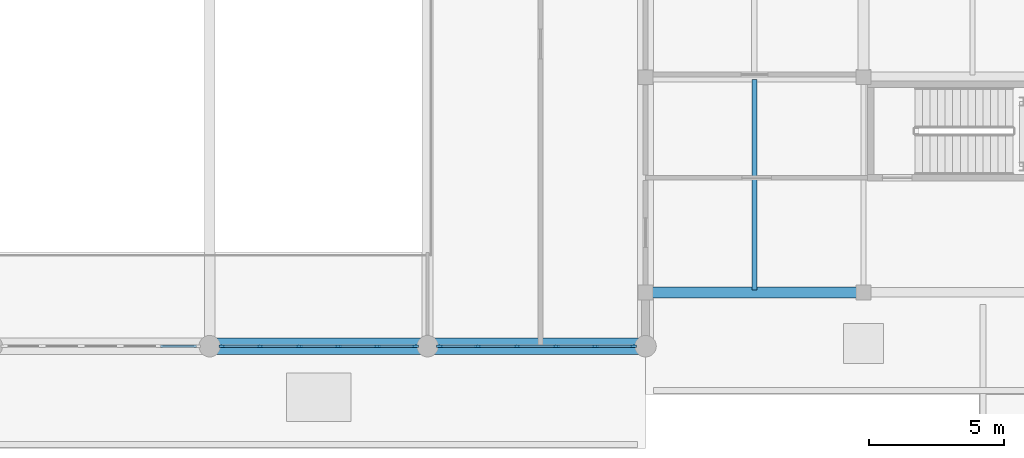
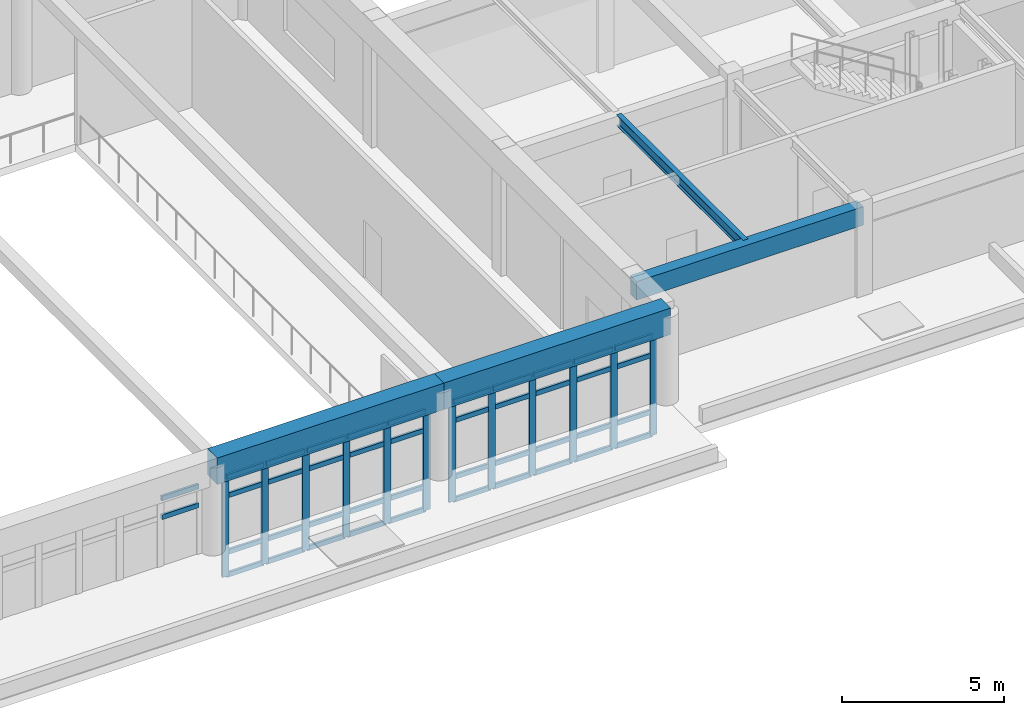
# One storey, part 8 of 61: 54 members, 4 beams, 3 elements without a shape of their own.
"""IFC4 building model written with IfcOpenShell, lengths in metres."""

from ifc_helpers import new_model, si_unit, direction, frame, origin, origin_2d, place, context, subcontext, project, spatial, rectangle, i_section, extrude, material, material_profile, profile_set, type_object, element, aggregate, save


model = new_model("IFC4")

# Units and contexts
model_context = context("Model", 3, precision=1e-05, world=origin(), true_north=direction((0.0, 1.0)))
body_context = subcontext(model_context, "Body", "Model", "MODEL_VIEW")
ifc_project = project(units=[si_unit("LENGTHUNIT", "METRE"), si_unit("AREAUNIT", "SQUARE_METRE"), si_unit("VOLUMEUNIT", "CUBIC_METRE"), si_unit("PLANEANGLEUNIT", "RADIAN"), si_unit("MASSUNIT", "GRAM", prefix="KILO")], contexts=[model_context])

# Site, building, storey
site_placement = place(None, origin())
site = spatial("IfcSite", under=ifc_project, at=site_placement, CompositionType="ELEMENT")
building_placement = place(site_placement, origin())
building = spatial("IfcBuilding", under=site, at=building_placement, Name="Tarnveldt Square Police Headquarters", CompositionType="ELEMENT")
storey_placement = place(building_placement, frame((0.0, 0.0, 5.39990234375)))
storey = spatial("IfcBuildingStorey", under=building, at=storey_placement, Name="L01", CompositionType="ELEMENT", Elevation=5.39990234375)

# Beams
ifc_material_1 = material(Name="Concrete 40 MPa", Category="concrete")
ifc_material_profile_1 = material_profile(ifc_material_1, rectangle(XDim=0.39990234375, YDim=0.699951171875, at=origin_2d()), Name="RC-B400x700")
ifc_profile_set_1 = profile_set([ifc_material_profile_1], Name="Concrete 40 MPa")
beam_type_1 = type_object("IfcBeamType", Name="BM-RC400x700", PredefinedType="BEAM", material=ifc_profile_set_1)
beam_1_placement = place(storey_placement, frame((121.5, 24.0, 4.170166015625), z_axis=(1.0, 0.0, 0.0), x_axis=(0.0, 1.0, 0.0)))
element("IfcBeam", 1, at=beam_1_placement, inside=storey, type_object=beam_type_1, Name="L02 Grid Girder X-0477", PredefinedType="BEAM", context=body_context, shape_type="SweptSolid", body=[
    extrude(rectangle(XDim=0.39990234375, YDim=0.699951171875, at=origin_2d()), origin(), (0.0, 0.0, 1.0), 8.10009765625),
])
ifc_material_2 = material(Name="Concrete 50 MPa", Category="concrete")
ifc_material_profile_2 = material_profile(ifc_material_2, rectangle(XDim=0.60009765625, YDim=1.0, at=origin_2d()), Name="RC-B600x1000")
ifc_profile_set_2 = profile_set([ifc_material_profile_2], Name="Concrete 50 MPa")
beam_type_2 = type_object("IfcBeamType", Name="BM-RC600x1000", PredefinedType="BEAM", material=ifc_profile_set_2)
beam_2_placement = place(storey_placement, frame((105.300048828125, 22.0, 4.300048828125), z_axis=(1.0, 0.0, 0.0), x_axis=(0.0, 1.0, 0.0)))
element("IfcBeam", 2, at=beam_2_placement, inside=storey, type_object=beam_type_2, Name="Public Entrance Hall Springing Edge Ring Beam S6", PredefinedType="BEAM", context=body_context, shape_type="SweptSolid", body=[
    extrude(rectangle(XDim=0.60009765625, YDim=1.0, at=origin_2d()), origin(), (0.0, 0.0, 1.0), 8.099853515625),
])
beam_3_placement = place(storey_placement, frame((113.39990234375, 22.0, 4.300048828125), z_axis=(1.0, 0.0, 0.0), x_axis=(0.0, 1.0, 0.0)))
element("IfcBeam", 3, at=beam_3_placement, inside=storey, type_object=beam_type_2, Name="Public Entrance Hall Springing Edge Ring Beam S7", PredefinedType="BEAM", context=body_context, shape_type="SweptSolid", body=[
    extrude(rectangle(XDim=0.60009765625, YDim=1.0, at=origin_2d()), origin(), (0.0, 0.0, 1.0), 8.10009765625),
])
ifc_material_3 = material(Name="Steel 350W", Category="steel")
ifc_material_profile_3 = material_profile(ifc_material_3, i_section(OverallWidth=0.177978515625, OverallDepth=0.406982421875, WebThickness=0.0078125, FlangeThickness=0.0126953125, FilletRadius=0.01611328125, at=origin_2d()), Name="W410x60")
ifc_profile_set_3 = profile_set([ifc_material_profile_3], Name="Steel 350W")
beam_type_3 = type_object("IfcBeamType", Name="BM-W410x60", PredefinedType="JOIST", material=ifc_profile_set_3)
beam_4_placement = place(storey_placement, frame((125.550048828125, 24.080078125, 4.316650390625), z_axis=(0.0, 1.0, 0.0), x_axis=(-1.0, 0.0, 0.0)))
element("IfcBeam", 4, at=beam_4_placement, inside=storey, type_object=beam_type_3, Name="L02 Secondary Floor Joist 0105", PredefinedType="JOIST", context=body_context, shape_type="SweptSolid", body=[
    extrude(i_section(OverallWidth=0.177978515625, OverallDepth=0.406982421875, WebThickness=0.0078125, FlangeThickness=0.0126953125, FilletRadius=0.01611328125, at=origin_2d()), origin(), (0.0, 0.0, 1.0), 7.83984375),
])

# Curtain wall, members
ifc_material_4 = material(Name="Triple-glazed low-e laminated vision glass", Category="glass")
curtain_wall_type = type_object("IfcCurtainWallType", Name="CW-EH-727x379", PredefinedType="USERDEFINED", material=ifc_material_4)
curtain_wall_1_placement = place(storey_placement, origin())
curtain_wall_1 = element("IfcCurtainWall", 5, at=curtain_wall_1_placement, inside=storey, type_object=curtain_wall_type, Name="L01 Curtain Wall CW-L01-012", ObjectType="GLAZED CURTAIN WALL", PredefinedType="USERDEFINED")
ifc_material_5 = material(Name="Thermally broken anodised aluminium 6063-T6", Category="aluminium")
ifc_material_profile_4 = material_profile(ifc_material_5, rectangle(XDim=0.0849609375, YDim=0.239990234375, at=origin_2d()), Name="CW-M85x240")
ifc_profile_set_4 = profile_set([ifc_material_profile_4], Name="Thermally broken anodised aluminium 6063-T6")
member_type_1 = type_object("IfcMemberType", Name="CWM-85x240", PredefinedType="MULLION", material=ifc_profile_set_4)
member_1_placement = place(storey_placement, frame((105.757568359375, 22.0, 0.0), z_axis=(0.0, 0.0, 1.0), x_axis=(0.0, 1.0, 0.0)))
member_1 = element("IfcMember", 6, at=member_1_placement, type_object=member_type_1, Name="CW-EH05 mullion 1", PredefinedType="MULLION", context=body_context, shape_type="SweptSolid", body=[
    extrude(rectangle(XDim=0.0849609375, YDim=0.239990234375, at=origin_2d()), origin(), (0.0, 0.0, 1.0), 3.7919921875),
])
member_2_placement = place(storey_placement, frame((107.1689453125, 22.0, 0.0), z_axis=(0.0, 0.0, 1.0), x_axis=(0.0, 1.0, 0.0)))
member_2 = element("IfcMember", 7, at=member_2_placement, type_object=member_type_1, Name="CW-EH05 mullion 2", PredefinedType="MULLION", context=body_context, shape_type="SweptSolid", body=[
    extrude(rectangle(XDim=0.0849609375, YDim=0.239990234375, at=origin_2d()), origin(), (0.0, 0.0, 1.0), 3.7919921875),
])
member_3_placement = place(storey_placement, frame((108.623046875, 22.0, 0.0), z_axis=(0.0, 0.0, 1.0), x_axis=(0.0, 1.0, 0.0)))
member_3 = element("IfcMember", 8, at=member_3_placement, type_object=member_type_1, Name="CW-EH05 mullion 3", PredefinedType="MULLION", context=body_context, shape_type="SweptSolid", body=[
    extrude(rectangle(XDim=0.0849609375, YDim=0.239990234375, at=origin_2d()), origin(), (0.0, 0.0, 1.0), 3.7919921875),
])
member_4_placement = place(storey_placement, frame((110.076904296875, 22.0, 0.0), z_axis=(0.0, 0.0, 1.0), x_axis=(0.0, 1.0, 0.0)))
member_4 = element("IfcMember", 9, at=member_4_placement, type_object=member_type_1, Name="CW-EH05 mullion 4", PredefinedType="MULLION", context=body_context, shape_type="SweptSolid", body=[
    extrude(rectangle(XDim=0.0849609375, YDim=0.239990234375, at=origin_2d()), origin(), (0.0, 0.0, 1.0), 3.7919921875),
])
member_5_placement = place(storey_placement, frame((111.531005859375, 22.0, 0.0), z_axis=(0.0, 0.0, 1.0), x_axis=(0.0, 1.0, 0.0)))
member_5 = element("IfcMember", 10, at=member_5_placement, type_object=member_type_1, Name="CW-EH05 mullion 5", PredefinedType="MULLION", context=body_context, shape_type="SweptSolid", body=[
    extrude(rectangle(XDim=0.0849609375, YDim=0.239990234375, at=origin_2d()), origin(), (0.0, 0.0, 1.0), 3.7919921875),
])
member_6_placement = place(storey_placement, frame((112.9423828125, 22.0, 0.0), z_axis=(0.0, 0.0, 1.0), x_axis=(0.0, 1.0, 0.0)))
member_6 = element("IfcMember", 11, at=member_6_placement, type_object=member_type_1, Name="CW-EH05 mullion 6", PredefinedType="MULLION", context=body_context, shape_type="SweptSolid", body=[
    extrude(rectangle(XDim=0.0849609375, YDim=0.239990234375, at=origin_2d()), origin(), (0.0, 0.0, 1.0), 3.7919921875),
])

curtain_wall_2_placement = place(storey_placement, origin())
curtain_wall_2 = element("IfcCurtainWall", 12, at=curtain_wall_2_placement, inside=storey, type_object=curtain_wall_type, Name="L01 Curtain Wall CW-L01-013", ObjectType="GLAZED CURTAIN WALL", PredefinedType="USERDEFINED")
member_7_placement = place(storey_placement, frame((113.857421875, 22.0, 0.0), z_axis=(0.0, 0.0, 1.0), x_axis=(0.0, 1.0, 0.0)))
member_7 = element("IfcMember", 13, at=member_7_placement, type_object=member_type_1, Name="CW-EH05 mullion 1", PredefinedType="MULLION", context=body_context, shape_type="SweptSolid", body=[
    extrude(rectangle(XDim=0.0849609375, YDim=0.239990234375, at=origin_2d()), origin(), (0.0, 0.0, 1.0), 3.7919921875),
])
member_8_placement = place(storey_placement, frame((115.26904296875, 22.0, 0.0), z_axis=(0.0, 0.0, 1.0), x_axis=(0.0, 1.0, 0.0)))
member_8 = element("IfcMember", 14, at=member_8_placement, type_object=member_type_1, Name="CW-EH05 mullion 2", PredefinedType="MULLION", context=body_context, shape_type="SweptSolid", body=[
    extrude(rectangle(XDim=0.0849609375, YDim=0.239990234375, at=origin_2d()), origin(), (0.0, 0.0, 1.0), 3.7919921875),
])
member_9_placement = place(storey_placement, frame((116.722900390625, 22.0, 0.0), z_axis=(0.0, 0.0, 1.0), x_axis=(0.0, 1.0, 0.0)))
member_9 = element("IfcMember", 15, at=member_9_placement, type_object=member_type_1, Name="CW-EH05 mullion 3", PredefinedType="MULLION", context=body_context, shape_type="SweptSolid", body=[
    extrude(rectangle(XDim=0.0849609375, YDim=0.239990234375, at=origin_2d()), origin(), (0.0, 0.0, 1.0), 3.7919921875),
])
member_10_placement = place(storey_placement, frame((118.177001953125, 22.0, 0.0), z_axis=(0.0, 0.0, 1.0), x_axis=(0.0, 1.0, 0.0)))
member_10 = element("IfcMember", 16, at=member_10_placement, type_object=member_type_1, Name="CW-EH05 mullion 4", PredefinedType="MULLION", context=body_context, shape_type="SweptSolid", body=[
    extrude(rectangle(XDim=0.0849609375, YDim=0.239990234375, at=origin_2d()), origin(), (0.0, 0.0, 1.0), 3.7919921875),
])
member_11_placement = place(storey_placement, frame((119.631103515625, 22.0, 0.0), z_axis=(0.0, 0.0, 1.0), x_axis=(0.0, 1.0, 0.0)))
member_11 = element("IfcMember", 17, at=member_11_placement, type_object=member_type_1, Name="CW-EH05 mullion 5", PredefinedType="MULLION", context=body_context, shape_type="SweptSolid", body=[
    extrude(rectangle(XDim=0.0849609375, YDim=0.239990234375, at=origin_2d()), origin(), (0.0, 0.0, 1.0), 3.7919921875),
])
member_12_placement = place(storey_placement, frame((121.04248046875, 22.0, 0.0), z_axis=(0.0, 0.0, 1.0), x_axis=(0.0, 1.0, 0.0)))
member_12 = element("IfcMember", 18, at=member_12_placement, type_object=member_type_1, Name="CW-EH05 mullion 6", PredefinedType="MULLION", context=body_context, shape_type="SweptSolid", body=[
    extrude(rectangle(XDim=0.0849609375, YDim=0.239990234375, at=origin_2d()), origin(), (0.0, 0.0, 1.0), 3.7919921875),
])

curtain_wall_3_placement = place(storey_placement, origin())
curtain_wall_3 = element("IfcCurtainWall", 19, at=curtain_wall_3_placement, inside=storey, type_object=curtain_wall_type, Name="L01 Curtain Wall CW-L01-011", ObjectType="GLAZED CURTAIN WALL", PredefinedType="USERDEFINED")
ifc_material_profile_5 = material_profile(ifc_material_5, rectangle(XDim=0.0849609375, YDim=0.179931640625, at=origin_2d()), Name="CW-T85x180")
ifc_profile_set_5 = profile_set([ifc_material_profile_5], Name="Thermally broken anodised aluminium 6063-T6")
member_type_2 = type_object("IfcMemberType", Name="CWT-85x180", PredefinedType="USERDEFINED", material=ifc_profile_set_5)
member_13_placement = place(storey_placement, frame((103.473388671875, 22.0, 3.0419921875), z_axis=(1.0, 0.0, 0.0), x_axis=(0.0, 1.0, 0.0)))
member_13 = element("IfcMember", 20, at=member_13_placement, type_object=member_type_2, Name="CW-EH05 transom 5.3", ObjectType="TRANSOM", PredefinedType="USERDEFINED", context=body_context, shape_type="SweptSolid", body=[
    extrude(rectangle(XDim=0.0849609375, YDim=0.179931640625, at=origin_2d()), origin(), (0.0, 0.0, 1.0), 1.32666015625),
])
member_14_placement = place(storey_placement, frame((103.473388671875, 22.0, 3.74951171875), z_axis=(1.0, 0.0, 0.0), x_axis=(0.0, 1.0, 0.0)))
member_14 = element("IfcMember", 21, at=member_14_placement, type_object=member_type_2, Name="CW-EH05 transom 5.4", ObjectType="TRANSOM", PredefinedType="USERDEFINED", context=body_context, shape_type="SweptSolid", body=[
    extrude(rectangle(XDim=0.0849609375, YDim=0.179931640625, at=origin_2d()), origin(), (0.0, 0.0, 1.0), 1.32666015625),
])
aggregate(curtain_wall_3, [member_13, member_14])

# Member
member_15_placement = place(storey_placement, frame((105.800048828125, 22.0, 0.04248046875), z_axis=(1.0, 0.0, 0.0), x_axis=(0.0, 1.0, 0.0)))
member_15 = element("IfcMember", 22, at=member_15_placement, type_object=member_type_2, Name="CW-EH05 transom 1.1", ObjectType="TRANSOM", PredefinedType="USERDEFINED", context=body_context, shape_type="SweptSolid", body=[
    extrude(rectangle(XDim=0.0849609375, YDim=0.179931640625, at=origin_2d()), origin(), (0.0, 0.0, 1.0), 1.326416015625),
])

member_16_placement = place(storey_placement, frame((105.800048828125, 22.0, 0.900146484375), z_axis=(1.0, 0.0, 0.0), x_axis=(0.0, 1.0, 0.0)))
member_16 = element("IfcMember", 23, at=member_16_placement, type_object=member_type_2, Name="CW-EH05 transom 1.2", ObjectType="TRANSOM", PredefinedType="USERDEFINED", context=body_context, shape_type="SweptSolid", body=[
    extrude(rectangle(XDim=0.0849609375, YDim=0.179931640625, at=origin_2d()), origin(), (0.0, 0.0, 1.0), 1.326416015625),
])

member_17_placement = place(storey_placement, frame((105.800048828125, 22.0, 3.0419921875), z_axis=(1.0, 0.0, 0.0), x_axis=(0.0, 1.0, 0.0)))
member_17 = element("IfcMember", 24, at=member_17_placement, type_object=member_type_2, Name="CW-EH05 transom 1.3", ObjectType="TRANSOM", PredefinedType="USERDEFINED", context=body_context, shape_type="SweptSolid", body=[
    extrude(rectangle(XDim=0.0849609375, YDim=0.179931640625, at=origin_2d()), origin(), (0.0, 0.0, 1.0), 1.326416015625),
])

member_18_placement = place(storey_placement, frame((105.800048828125, 22.0, 3.74951171875), z_axis=(1.0, 0.0, 0.0), x_axis=(0.0, 1.0, 0.0)))
member_18 = element("IfcMember", 25, at=member_18_placement, type_object=member_type_2, Name="CW-EH05 transom 1.4", ObjectType="TRANSOM", PredefinedType="USERDEFINED", context=body_context, shape_type="SweptSolid", body=[
    extrude(rectangle(XDim=0.0849609375, YDim=0.179931640625, at=origin_2d()), origin(), (0.0, 0.0, 1.0), 1.326416015625),
])

member_19_placement = place(storey_placement, frame((107.21142578125, 22.0, 0.04248046875), z_axis=(1.0, 0.0, 0.0), x_axis=(0.0, 1.0, 0.0)))
member_19 = element("IfcMember", 26, at=member_19_placement, type_object=member_type_2, Name="CW-EH05 transom 2.1", ObjectType="TRANSOM", PredefinedType="USERDEFINED", context=body_context, shape_type="SweptSolid", body=[
    extrude(rectangle(XDim=0.0849609375, YDim=0.179931640625, at=origin_2d()), origin(), (0.0, 0.0, 1.0), 1.369140625),
])

member_20_placement = place(storey_placement, frame((107.21142578125, 22.0, 0.900146484375), z_axis=(1.0, 0.0, 0.0), x_axis=(0.0, 1.0, 0.0)))
member_20 = element("IfcMember", 27, at=member_20_placement, type_object=member_type_2, Name="CW-EH05 transom 2.2", ObjectType="TRANSOM", PredefinedType="USERDEFINED", context=body_context, shape_type="SweptSolid", body=[
    extrude(rectangle(XDim=0.0849609375, YDim=0.179931640625, at=origin_2d()), origin(), (0.0, 0.0, 1.0), 1.369140625),
])

member_21_placement = place(storey_placement, frame((107.21142578125, 22.0, 3.0419921875), z_axis=(1.0, 0.0, 0.0), x_axis=(0.0, 1.0, 0.0)))
member_21 = element("IfcMember", 28, at=member_21_placement, type_object=member_type_2, Name="CW-EH05 transom 2.3", ObjectType="TRANSOM", PredefinedType="USERDEFINED", context=body_context, shape_type="SweptSolid", body=[
    extrude(rectangle(XDim=0.0849609375, YDim=0.179931640625, at=origin_2d()), origin(), (0.0, 0.0, 1.0), 1.369140625),
])

member_22_placement = place(storey_placement, frame((107.21142578125, 22.0, 3.74951171875), z_axis=(1.0, 0.0, 0.0), x_axis=(0.0, 1.0, 0.0)))
member_22 = element("IfcMember", 29, at=member_22_placement, type_object=member_type_2, Name="CW-EH05 transom 2.4", ObjectType="TRANSOM", PredefinedType="USERDEFINED", context=body_context, shape_type="SweptSolid", body=[
    extrude(rectangle(XDim=0.0849609375, YDim=0.179931640625, at=origin_2d()), origin(), (0.0, 0.0, 1.0), 1.369140625),
])

member_23_placement = place(storey_placement, frame((108.66552734375, 22.0, 0.04248046875), z_axis=(1.0, 0.0, 0.0), x_axis=(0.0, 1.0, 0.0)))
member_23 = element("IfcMember", 30, at=member_23_placement, type_object=member_type_2, Name="CW-EH05 transom 3.1", ObjectType="TRANSOM", PredefinedType="USERDEFINED", context=body_context, shape_type="SweptSolid", body=[
    extrude(rectangle(XDim=0.0849609375, YDim=0.179931640625, at=origin_2d()), origin(), (0.0, 0.0, 1.0), 1.368896484375),
])

member_24_placement = place(storey_placement, frame((108.66552734375, 22.0, 0.900146484375), z_axis=(1.0, 0.0, 0.0), x_axis=(0.0, 1.0, 0.0)))
member_24 = element("IfcMember", 31, at=member_24_placement, type_object=member_type_2, Name="CW-EH05 transom 3.2", ObjectType="TRANSOM", PredefinedType="USERDEFINED", context=body_context, shape_type="SweptSolid", body=[
    extrude(rectangle(XDim=0.0849609375, YDim=0.179931640625, at=origin_2d()), origin(), (0.0, 0.0, 1.0), 1.368896484375),
])

member_25_placement = place(storey_placement, frame((108.66552734375, 22.0, 3.0419921875), z_axis=(1.0, 0.0, 0.0), x_axis=(0.0, 1.0, 0.0)))
member_25 = element("IfcMember", 32, at=member_25_placement, type_object=member_type_2, Name="CW-EH05 transom 3.3", ObjectType="TRANSOM", PredefinedType="USERDEFINED", context=body_context, shape_type="SweptSolid", body=[
    extrude(rectangle(XDim=0.0849609375, YDim=0.179931640625, at=origin_2d()), origin(), (0.0, 0.0, 1.0), 1.368896484375),
])

member_26_placement = place(storey_placement, frame((108.66552734375, 22.0, 3.74951171875), z_axis=(1.0, 0.0, 0.0), x_axis=(0.0, 1.0, 0.0)))
member_26 = element("IfcMember", 33, at=member_26_placement, type_object=member_type_2, Name="CW-EH05 transom 3.4", ObjectType="TRANSOM", PredefinedType="USERDEFINED", context=body_context, shape_type="SweptSolid", body=[
    extrude(rectangle(XDim=0.0849609375, YDim=0.179931640625, at=origin_2d()), origin(), (0.0, 0.0, 1.0), 1.368896484375),
])

member_27_placement = place(storey_placement, frame((110.119384765625, 22.0, 0.04248046875), z_axis=(1.0, 0.0, 0.0), x_axis=(0.0, 1.0, 0.0)))
member_27 = element("IfcMember", 34, at=member_27_placement, type_object=member_type_2, Name="CW-EH05 transom 4.1", ObjectType="TRANSOM", PredefinedType="USERDEFINED", context=body_context, shape_type="SweptSolid", body=[
    extrude(rectangle(XDim=0.0849609375, YDim=0.179931640625, at=origin_2d()), origin(), (0.0, 0.0, 1.0), 1.369140625),
])

member_28_placement = place(storey_placement, frame((110.119384765625, 22.0, 0.900146484375), z_axis=(1.0, 0.0, 0.0), x_axis=(0.0, 1.0, 0.0)))
member_28 = element("IfcMember", 35, at=member_28_placement, type_object=member_type_2, Name="CW-EH05 transom 4.2", ObjectType="TRANSOM", PredefinedType="USERDEFINED", context=body_context, shape_type="SweptSolid", body=[
    extrude(rectangle(XDim=0.0849609375, YDim=0.179931640625, at=origin_2d()), origin(), (0.0, 0.0, 1.0), 1.369140625),
])

member_29_placement = place(storey_placement, frame((110.119384765625, 22.0, 3.0419921875), z_axis=(1.0, 0.0, 0.0), x_axis=(0.0, 1.0, 0.0)))
member_29 = element("IfcMember", 36, at=member_29_placement, type_object=member_type_2, Name="CW-EH05 transom 4.3", ObjectType="TRANSOM", PredefinedType="USERDEFINED", context=body_context, shape_type="SweptSolid", body=[
    extrude(rectangle(XDim=0.0849609375, YDim=0.179931640625, at=origin_2d()), origin(), (0.0, 0.0, 1.0), 1.369140625),
])

member_30_placement = place(storey_placement, frame((110.119384765625, 22.0, 3.74951171875), z_axis=(1.0, 0.0, 0.0), x_axis=(0.0, 1.0, 0.0)))
member_30 = element("IfcMember", 37, at=member_30_placement, type_object=member_type_2, Name="CW-EH05 transom 4.4", ObjectType="TRANSOM", PredefinedType="USERDEFINED", context=body_context, shape_type="SweptSolid", body=[
    extrude(rectangle(XDim=0.0849609375, YDim=0.179931640625, at=origin_2d()), origin(), (0.0, 0.0, 1.0), 1.369140625),
])

member_31_placement = place(storey_placement, frame((111.573486328125, 22.0, 0.04248046875), z_axis=(1.0, 0.0, 0.0), x_axis=(0.0, 1.0, 0.0)))
member_31 = element("IfcMember", 38, at=member_31_placement, type_object=member_type_2, Name="CW-EH05 transom 5.1", ObjectType="TRANSOM", PredefinedType="USERDEFINED", context=body_context, shape_type="SweptSolid", body=[
    extrude(rectangle(XDim=0.0849609375, YDim=0.179931640625, at=origin_2d()), origin(), (0.0, 0.0, 1.0), 1.326416015625),
])

member_32_placement = place(storey_placement, frame((111.573486328125, 22.0, 0.900146484375), z_axis=(1.0, 0.0, 0.0), x_axis=(0.0, 1.0, 0.0)))
member_32 = element("IfcMember", 39, at=member_32_placement, type_object=member_type_2, Name="CW-EH05 transom 5.2", ObjectType="TRANSOM", PredefinedType="USERDEFINED", context=body_context, shape_type="SweptSolid", body=[
    extrude(rectangle(XDim=0.0849609375, YDim=0.179931640625, at=origin_2d()), origin(), (0.0, 0.0, 1.0), 1.326416015625),
])

member_33_placement = place(storey_placement, frame((111.573486328125, 22.0, 3.0419921875), z_axis=(1.0, 0.0, 0.0), x_axis=(0.0, 1.0, 0.0)))
member_33 = element("IfcMember", 40, at=member_33_placement, type_object=member_type_2, Name="CW-EH05 transom 5.3", ObjectType="TRANSOM", PredefinedType="USERDEFINED", context=body_context, shape_type="SweptSolid", body=[
    extrude(rectangle(XDim=0.0849609375, YDim=0.179931640625, at=origin_2d()), origin(), (0.0, 0.0, 1.0), 1.326416015625),
])

member_34_placement = place(storey_placement, frame((111.573486328125, 22.0, 3.74951171875), z_axis=(1.0, 0.0, 0.0), x_axis=(0.0, 1.0, 0.0)))
member_34 = element("IfcMember", 41, at=member_34_placement, type_object=member_type_2, Name="CW-EH05 transom 5.4", ObjectType="TRANSOM", PredefinedType="USERDEFINED", context=body_context, shape_type="SweptSolid", body=[
    extrude(rectangle(XDim=0.0849609375, YDim=0.179931640625, at=origin_2d()), origin(), (0.0, 0.0, 1.0), 1.326416015625),
])

aggregate(curtain_wall_1, [member_1, member_2, member_3, member_4, member_5, member_6, member_15, member_16, member_17, member_18, member_19, member_20, member_21, member_22, member_23, member_24, member_25, member_26, member_27, member_28, member_29, member_30, member_31, member_32, member_33, member_34])

member_35_placement = place(storey_placement, frame((113.89990234375, 22.0, 0.04248046875), z_axis=(1.0, 0.0, 0.0), x_axis=(0.0, 1.0, 0.0)))
member_35 = element("IfcMember", 42, at=member_35_placement, type_object=member_type_2, Name="CW-EH05 transom 1.1", ObjectType="TRANSOM", PredefinedType="USERDEFINED", context=body_context, shape_type="SweptSolid", body=[
    extrude(rectangle(XDim=0.0849609375, YDim=0.179931640625, at=origin_2d()), origin(), (0.0, 0.0, 1.0), 1.32666015625),
])

member_36_placement = place(storey_placement, frame((113.89990234375, 22.0, 0.900146484375), z_axis=(1.0, 0.0, 0.0), x_axis=(0.0, 1.0, 0.0)))
member_36 = element("IfcMember", 43, at=member_36_placement, type_object=member_type_2, Name="CW-EH05 transom 1.2", ObjectType="TRANSOM", PredefinedType="USERDEFINED", context=body_context, shape_type="SweptSolid", body=[
    extrude(rectangle(XDim=0.0849609375, YDim=0.179931640625, at=origin_2d()), origin(), (0.0, 0.0, 1.0), 1.32666015625),
])

member_37_placement = place(storey_placement, frame((113.89990234375, 22.0, 3.0419921875), z_axis=(1.0, 0.0, 0.0), x_axis=(0.0, 1.0, 0.0)))
member_37 = element("IfcMember", 44, at=member_37_placement, type_object=member_type_2, Name="CW-EH05 transom 1.3", ObjectType="TRANSOM", PredefinedType="USERDEFINED", context=body_context, shape_type="SweptSolid", body=[
    extrude(rectangle(XDim=0.0849609375, YDim=0.179931640625, at=origin_2d()), origin(), (0.0, 0.0, 1.0), 1.32666015625),
])

member_38_placement = place(storey_placement, frame((113.89990234375, 22.0, 3.74951171875), z_axis=(1.0, 0.0, 0.0), x_axis=(0.0, 1.0, 0.0)))
member_38 = element("IfcMember", 45, at=member_38_placement, type_object=member_type_2, Name="CW-EH05 transom 1.4", ObjectType="TRANSOM", PredefinedType="USERDEFINED", context=body_context, shape_type="SweptSolid", body=[
    extrude(rectangle(XDim=0.0849609375, YDim=0.179931640625, at=origin_2d()), origin(), (0.0, 0.0, 1.0), 1.32666015625),
])

member_39_placement = place(storey_placement, frame((115.3115234375, 22.0, 0.04248046875), z_axis=(1.0, 0.0, 0.0), x_axis=(0.0, 1.0, 0.0)))
member_39 = element("IfcMember", 46, at=member_39_placement, type_object=member_type_2, Name="CW-EH05 transom 2.1", ObjectType="TRANSOM", PredefinedType="USERDEFINED", context=body_context, shape_type="SweptSolid", body=[
    extrude(rectangle(XDim=0.0849609375, YDim=0.179931640625, at=origin_2d()), origin(), (0.0, 0.0, 1.0), 1.368896484375),
])

member_40_placement = place(storey_placement, frame((115.3115234375, 22.0, 0.900146484375), z_axis=(1.0, 0.0, 0.0), x_axis=(0.0, 1.0, 0.0)))
member_40 = element("IfcMember", 47, at=member_40_placement, type_object=member_type_2, Name="CW-EH05 transom 2.2", ObjectType="TRANSOM", PredefinedType="USERDEFINED", context=body_context, shape_type="SweptSolid", body=[
    extrude(rectangle(XDim=0.0849609375, YDim=0.179931640625, at=origin_2d()), origin(), (0.0, 0.0, 1.0), 1.368896484375),
])

member_41_placement = place(storey_placement, frame((115.3115234375, 22.0, 3.0419921875), z_axis=(1.0, 0.0, 0.0), x_axis=(0.0, 1.0, 0.0)))
member_41 = element("IfcMember", 48, at=member_41_placement, type_object=member_type_2, Name="CW-EH05 transom 2.3", ObjectType="TRANSOM", PredefinedType="USERDEFINED", context=body_context, shape_type="SweptSolid", body=[
    extrude(rectangle(XDim=0.0849609375, YDim=0.179931640625, at=origin_2d()), origin(), (0.0, 0.0, 1.0), 1.368896484375),
])

member_42_placement = place(storey_placement, frame((115.3115234375, 22.0, 3.74951171875), z_axis=(1.0, 0.0, 0.0), x_axis=(0.0, 1.0, 0.0)))
member_42 = element("IfcMember", 49, at=member_42_placement, type_object=member_type_2, Name="CW-EH05 transom 2.4", ObjectType="TRANSOM", PredefinedType="USERDEFINED", context=body_context, shape_type="SweptSolid", body=[
    extrude(rectangle(XDim=0.0849609375, YDim=0.179931640625, at=origin_2d()), origin(), (0.0, 0.0, 1.0), 1.368896484375),
])

member_43_placement = place(storey_placement, frame((116.765380859375, 22.0, 0.04248046875), z_axis=(1.0, 0.0, 0.0), x_axis=(0.0, 1.0, 0.0)))
member_43 = element("IfcMember", 50, at=member_43_placement, type_object=member_type_2, Name="CW-EH05 transom 3.1", ObjectType="TRANSOM", PredefinedType="USERDEFINED", context=body_context, shape_type="SweptSolid", body=[
    extrude(rectangle(XDim=0.0849609375, YDim=0.179931640625, at=origin_2d()), origin(), (0.0, 0.0, 1.0), 1.369140625),
])

member_44_placement = place(storey_placement, frame((116.765380859375, 22.0, 0.900146484375), z_axis=(1.0, 0.0, 0.0), x_axis=(0.0, 1.0, 0.0)))
member_44 = element("IfcMember", 51, at=member_44_placement, type_object=member_type_2, Name="CW-EH05 transom 3.2", ObjectType="TRANSOM", PredefinedType="USERDEFINED", context=body_context, shape_type="SweptSolid", body=[
    extrude(rectangle(XDim=0.0849609375, YDim=0.179931640625, at=origin_2d()), origin(), (0.0, 0.0, 1.0), 1.369140625),
])

member_45_placement = place(storey_placement, frame((116.765380859375, 22.0, 3.0419921875), z_axis=(1.0, 0.0, 0.0), x_axis=(0.0, 1.0, 0.0)))
member_45 = element("IfcMember", 52, at=member_45_placement, type_object=member_type_2, Name="CW-EH05 transom 3.3", ObjectType="TRANSOM", PredefinedType="USERDEFINED", context=body_context, shape_type="SweptSolid", body=[
    extrude(rectangle(XDim=0.0849609375, YDim=0.179931640625, at=origin_2d()), origin(), (0.0, 0.0, 1.0), 1.369140625),
])

member_46_placement = place(storey_placement, frame((116.765380859375, 22.0, 3.74951171875), z_axis=(1.0, 0.0, 0.0), x_axis=(0.0, 1.0, 0.0)))
member_46 = element("IfcMember", 53, at=member_46_placement, type_object=member_type_2, Name="CW-EH05 transom 3.4", ObjectType="TRANSOM", PredefinedType="USERDEFINED", context=body_context, shape_type="SweptSolid", body=[
    extrude(rectangle(XDim=0.0849609375, YDim=0.179931640625, at=origin_2d()), origin(), (0.0, 0.0, 1.0), 1.369140625),
])

member_47_placement = place(storey_placement, frame((118.219482421875, 22.0, 0.04248046875), z_axis=(1.0, 0.0, 0.0), x_axis=(0.0, 1.0, 0.0)))
member_47 = element("IfcMember", 54, at=member_47_placement, type_object=member_type_2, Name="CW-EH05 transom 4.1", ObjectType="TRANSOM", PredefinedType="USERDEFINED", context=body_context, shape_type="SweptSolid", body=[
    extrude(rectangle(XDim=0.0849609375, YDim=0.179931640625, at=origin_2d()), origin(), (0.0, 0.0, 1.0), 1.368896484375),
])

member_48_placement = place(storey_placement, frame((118.219482421875, 22.0, 0.900146484375), z_axis=(1.0, 0.0, 0.0), x_axis=(0.0, 1.0, 0.0)))
member_48 = element("IfcMember", 55, at=member_48_placement, type_object=member_type_2, Name="CW-EH05 transom 4.2", ObjectType="TRANSOM", PredefinedType="USERDEFINED", context=body_context, shape_type="SweptSolid", body=[
    extrude(rectangle(XDim=0.0849609375, YDim=0.179931640625, at=origin_2d()), origin(), (0.0, 0.0, 1.0), 1.368896484375),
])

member_49_placement = place(storey_placement, frame((118.219482421875, 22.0, 3.0419921875), z_axis=(1.0, 0.0, 0.0), x_axis=(0.0, 1.0, 0.0)))
member_49 = element("IfcMember", 56, at=member_49_placement, type_object=member_type_2, Name="CW-EH05 transom 4.3", ObjectType="TRANSOM", PredefinedType="USERDEFINED", context=body_context, shape_type="SweptSolid", body=[
    extrude(rectangle(XDim=0.0849609375, YDim=0.179931640625, at=origin_2d()), origin(), (0.0, 0.0, 1.0), 1.368896484375),
])

member_50_placement = place(storey_placement, frame((118.219482421875, 22.0, 3.74951171875), z_axis=(1.0, 0.0, 0.0), x_axis=(0.0, 1.0, 0.0)))
member_50 = element("IfcMember", 57, at=member_50_placement, type_object=member_type_2, Name="CW-EH05 transom 4.4", ObjectType="TRANSOM", PredefinedType="USERDEFINED", context=body_context, shape_type="SweptSolid", body=[
    extrude(rectangle(XDim=0.0849609375, YDim=0.179931640625, at=origin_2d()), origin(), (0.0, 0.0, 1.0), 1.368896484375),
])

member_51_placement = place(storey_placement, frame((119.673583984375, 22.0, 0.04248046875), z_axis=(1.0, 0.0, 0.0), x_axis=(0.0, 1.0, 0.0)))
member_51 = element("IfcMember", 58, at=member_51_placement, type_object=member_type_2, Name="CW-EH05 transom 5.1", ObjectType="TRANSOM", PredefinedType="USERDEFINED", context=body_context, shape_type="SweptSolid", body=[
    extrude(rectangle(XDim=0.0849609375, YDim=0.179931640625, at=origin_2d()), origin(), (0.0, 0.0, 1.0), 1.326416015625),
])

member_52_placement = place(storey_placement, frame((119.673583984375, 22.0, 0.900146484375), z_axis=(1.0, 0.0, 0.0), x_axis=(0.0, 1.0, 0.0)))
member_52 = element("IfcMember", 59, at=member_52_placement, type_object=member_type_2, Name="CW-EH05 transom 5.2", ObjectType="TRANSOM", PredefinedType="USERDEFINED", context=body_context, shape_type="SweptSolid", body=[
    extrude(rectangle(XDim=0.0849609375, YDim=0.179931640625, at=origin_2d()), origin(), (0.0, 0.0, 1.0), 1.326416015625),
])

member_53_placement = place(storey_placement, frame((119.673583984375, 22.0, 3.0419921875), z_axis=(1.0, 0.0, 0.0), x_axis=(0.0, 1.0, 0.0)))
member_53 = element("IfcMember", 60, at=member_53_placement, type_object=member_type_2, Name="CW-EH05 transom 5.3", ObjectType="TRANSOM", PredefinedType="USERDEFINED", context=body_context, shape_type="SweptSolid", body=[
    extrude(rectangle(XDim=0.0849609375, YDim=0.179931640625, at=origin_2d()), origin(), (0.0, 0.0, 1.0), 1.326416015625),
])

member_54_placement = place(storey_placement, frame((119.673583984375, 22.0, 3.74951171875), z_axis=(1.0, 0.0, 0.0), x_axis=(0.0, 1.0, 0.0)))
member_54 = element("IfcMember", 61, at=member_54_placement, type_object=member_type_2, Name="CW-EH05 transom 5.4", ObjectType="TRANSOM", PredefinedType="USERDEFINED", context=body_context, shape_type="SweptSolid", body=[
    extrude(rectangle(XDim=0.0849609375, YDim=0.179931640625, at=origin_2d()), origin(), (0.0, 0.0, 1.0), 1.326416015625),
])

aggregate(curtain_wall_2, [member_7, member_8, member_9, member_10, member_11, member_12, member_35, member_36, member_37, member_38, member_39, member_40, member_41, member_42, member_43, member_44, member_45, member_46, member_47, member_48, member_49, member_50, member_51, member_52, member_53, member_54])

save(model, "model.ifc")
